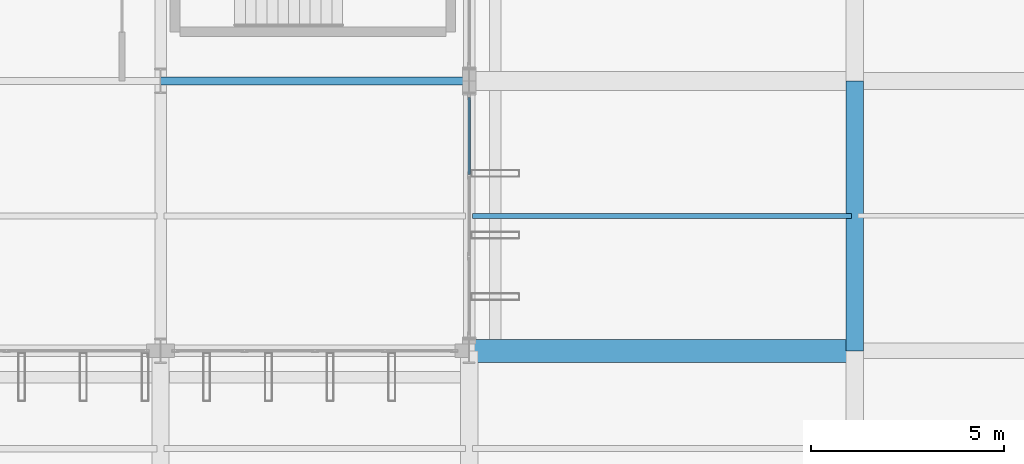
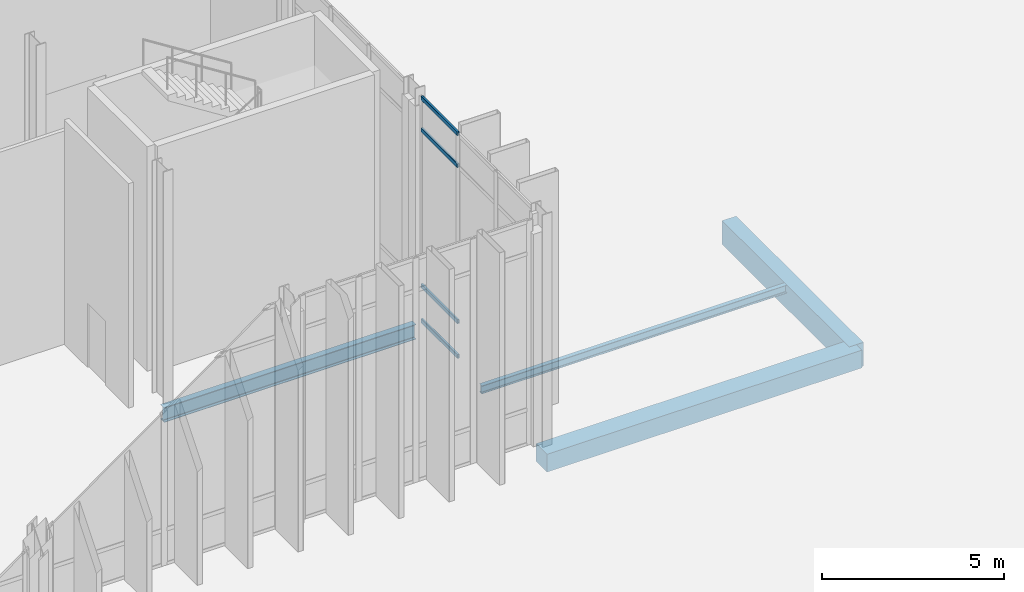
# One storey, part 88 of 176: 4 beams, 4 members, 1 element without a shape of its own.
"""IFC4 building model written with IfcOpenShell, lengths in metres."""

from ifc_helpers import new_model, si_unit, direction, frame, origin, origin_2d, place, context, subcontext, project, spatial, rectangle, hollow_rectangle, i_section, extrude, material, layer, layer_set, material_profile, profile_set, type_object, element, aggregate, save


model = new_model("IFC4")

# Units and contexts
model_context = context("Model", 3, precision=1e-05, world=origin(), true_north=direction((0.0, 1.0)))
body_context = subcontext(model_context, "Body", "Model", "MODEL_VIEW")
ifc_project = project(units=[si_unit("LENGTHUNIT", "METRE"), si_unit("AREAUNIT", "SQUARE_METRE"), si_unit("VOLUMEUNIT", "CUBIC_METRE"), si_unit("PLANEANGLEUNIT", "RADIAN"), si_unit("MASSUNIT", "GRAM", prefix="KILO")], contexts=[model_context])

# Site, building, storey
site_placement = place(None, origin())
site = spatial("IfcSite", under=ifc_project, at=site_placement, CompositionType="ELEMENT")
building_placement = place(site_placement, origin())
building = spatial("IfcBuilding", under=site, at=building_placement, Name="Vekula Escarpment Museum", CompositionType="ELEMENT")
storey_placement = place(building_placement, origin())
storey = spatial("IfcBuildingStorey", under=building, at=storey_placement, Name="L01", CompositionType="ELEMENT", Elevation=0.0)

# Beams
ifc_material_1 = material(Name="Steel S355", Category="steel")
ifc_material_profile_1 = material_profile(ifc_material_1, i_section(OverallWidth=0.199951171875, OverallDepth=0.5, WebThickness=0.01025390625, FlangeThickness=0.01611328125, FilletRadius=0.02099609375, at=origin_2d()), Name="IPE 500")
ifc_profile_set_1 = profile_set([ifc_material_profile_1], Name="Steel S355")
beam_type_1 = type_object("IfcBeamType", Name="BM-GIRD-IPE500", PredefinedType="BEAM", material=ifc_profile_set_1)
beam_1_placement = place(storey_placement, frame((118.0, 52.60009765625, -0.550048828125), z_axis=(1.0, 0.0, 0.0), x_axis=(0.0, 1.0, 0.0)))
element("IfcBeam", 1, at=beam_1_placement, inside=storey, type_object=beam_type_1, Name="Beam X L01 0152", PredefinedType="BEAM", context=body_context, shape_type="SweptSolid", body=[
    extrude(i_section(OverallWidth=0.199951171875, OverallDepth=0.5, WebThickness=0.01025390625, FlangeThickness=0.01611328125, FilletRadius=0.02099609375, at=origin_2d()), origin(), (0.0, 0.0, 1.0), 8.0),
])
ifc_material_2 = material(Name="Steel S355", Category="steel")
ifc_material_profile_2 = material_profile(ifc_material_2, i_section(OverallWidth=0.135009765625, OverallDepth=0.27001953125, WebThickness=0.006591796875, FlangeThickness=0.01025390625, FilletRadius=0.014892578125, at=origin_2d()), Name="IPE 270")
ifc_profile_set_2 = profile_set([ifc_material_profile_2], Name="Steel S355")
beam_type_2 = type_object("IfcBeamType", Name="BM-JST-IPE270", PredefinedType="JOIST", material=ifc_profile_set_2)
beam_2_placement = place(storey_placement, frame((126.090087890625, 49.10009765625, -0.43505859375), z_axis=(1.0, 0.0, 0.0), x_axis=(0.0, 1.0, 0.0)))
element("IfcBeam", 2, at=beam_2_placement, inside=storey, type_object=beam_type_2, Name="Secondary Joist L01 0425", PredefinedType="JOIST", context=body_context, shape_type="SweptSolid", body=[
    extrude(i_section(OverallWidth=0.135009765625, OverallDepth=0.27001953125, WebThickness=0.006591796875, FlangeThickness=0.01025390625, FilletRadius=0.014892578125, at=origin_2d()), origin(), (0.0, 0.0, 1.0), 9.81982421875),
])
ifc_material_3 = material(Name="Concrete C35/45", Category="concrete")
ifc_material_profile_3 = material_profile(ifc_material_3, rectangle(XDim=0.449951171875, YDim=0.800048828125, at=origin_2d()), Name="RC 450x800")
ifc_profile_set_3 = profile_set([ifc_material_profile_3], Name="Concrete C35/45")
beam_type_3 = type_object("IfcBeamType", Name="BM-PLINTH-RC", PredefinedType="BEAM", material=ifc_profile_set_3)
beam_3_placement = place(storey_placement, frame((136.0, 45.60009765625, -0.699951171875), z_axis=(0.0, 1.0, 0.0), x_axis=(-1.0, 0.0, 0.0)))
element("IfcBeam", 3, at=beam_3_placement, inside=storey, type_object=beam_type_3, Name="Beam Y L01 0674", PredefinedType="BEAM", context=body_context, shape_type="SweptSolid", body=[
    extrude(rectangle(XDim=0.449951171875, YDim=0.800048828125, at=origin_2d()), origin(), (0.0, 0.0, 1.0), 7.0),
])
ifc_material_4 = material(Name="Concrete C35/45", Category="concrete")
ifc_material_profile_4 = material_profile(ifc_material_4, rectangle(XDim=0.60009765625, YDim=0.60009765625, at=origin_2d()), Name="RC 600x600")
ifc_profile_set_4 = profile_set([ifc_material_profile_4], Name="Concrete C35/45")
beam_type_4 = type_object("IfcBeamType", Name="BM-PLINTH-RC4", PredefinedType="BEAM", material=ifc_profile_set_4)
beam_4_placement = place(storey_placement, frame((126.0, 45.60009765625, -0.60009765625), z_axis=(1.0, 0.0, 0.0), x_axis=(0.0, 1.0, 0.0)))
element("IfcBeam", 4, at=beam_4_placement, inside=storey, type_object=beam_type_4, Name="Beam X L01 0132", PredefinedType="BEAM", context=body_context, shape_type="SweptSolid", body=[
    extrude(rectangle(XDim=0.60009765625, YDim=0.60009765625, at=origin_2d()), origin(), (0.0, 0.0, 1.0), 10.0),
])

# Curtain wall, members
ifc_material_5 = material(Name="Aluminium thermally broken framing", Category="aluminium")
ifc_layer = layer(ifc_material_5, 0.169921875)
ifc_layer_set = layer_set([ifc_layer], Name="Aluminium thermally broken framing")
curtain_wall_type = type_object("IfcCurtainWallType", Name="CW-SYS-10", PredefinedType="NOTDEFINED", material=ifc_layer_set)
curtain_wall_placement = place(storey_placement, origin())
curtain_wall = element("IfcCurtainWall", 5, at=curtain_wall_placement, inside=storey, type_object=curtain_wall_type, Name="Curtain Wall CW-L01-010", PredefinedType="NOTDEFINED")
ifc_material_6 = material(Name="Aluminium anodized transom", Category="aluminium")
ifc_material_profile_5 = material_profile(ifc_material_6, hollow_rectangle(XDim=0.06494140625, YDim=0.139892578125, WallThickness=0.00390625, InnerFilletRadius=0.00390625, OuterFilletRadius=0.008056640625, at=origin_2d()), Name="ALU 140x65x4")
ifc_profile_set_5 = profile_set([ifc_material_profile_5], Name="Aluminium anodized transom")
member_type = type_object("IfcMemberType", Name="CW-TRN-140", PredefinedType="USERDEFINED", material=ifc_profile_set_5)
member_1_placement = place(storey_placement, frame((126.0, 50.17919921875, 0.032470703125), z_axis=(0.0, 1.0, 0.0), x_axis=(-1.0, 0.0, 0.0)))
member_1 = element("IfcMember", 6, at=member_1_placement, type_object=member_type, Name="CW-10 transom 3.1", ObjectType="TRANSOM", PredefinedType="USERDEFINED", context=body_context, shape_type="SweptSolid", body=[
    extrude(hollow_rectangle(XDim=0.06494140625, YDim=0.139892578125, WallThickness=0.00390625, InnerFilletRadius=0.00390625, OuterFilletRadius=0.008056640625, at=origin_2d()), origin(), (0.0, 0.0, 1.0), 1.995849609375),
])
member_2_placement = place(storey_placement, frame((126.0, 50.17919921875, 1.199951171875), z_axis=(0.0, 1.0, 0.0), x_axis=(-1.0, 0.0, 0.0)))
member_2 = element("IfcMember", 7, at=member_2_placement, type_object=member_type, Name="CW-10 transom 3.2", ObjectType="TRANSOM", PredefinedType="USERDEFINED", context=body_context, shape_type="SweptSolid", body=[
    extrude(hollow_rectangle(XDim=0.06494140625, YDim=0.139892578125, WallThickness=0.00390625, InnerFilletRadius=0.00390625, OuterFilletRadius=0.008056640625, at=origin_2d()), origin(), (0.0, 0.0, 1.0), 1.995849609375),
])
member_3_placement = place(storey_placement, frame((126.0, 50.17919921875, 6.43994140625), z_axis=(0.0, 1.0, 0.0), x_axis=(-1.0, 0.0, 0.0)))
member_3 = element("IfcMember", 8, at=member_3_placement, type_object=member_type, Name="CW-10 transom 3.3", ObjectType="TRANSOM", PredefinedType="USERDEFINED", context=body_context, shape_type="SweptSolid", body=[
    extrude(hollow_rectangle(XDim=0.06494140625, YDim=0.139892578125, WallThickness=0.00390625, InnerFilletRadius=0.00390625, OuterFilletRadius=0.008056640625, at=origin_2d()), origin(), (0.0, 0.0, 1.0), 1.995849609375),
])
member_4_placement = place(storey_placement, frame((126.0, 50.17919921875, 7.507568359375), z_axis=(0.0, 1.0, 0.0), x_axis=(-1.0, 0.0, 0.0)))
member_4 = element("IfcMember", 9, at=member_4_placement, type_object=member_type, Name="CW-10 transom 3.4", ObjectType="TRANSOM", PredefinedType="USERDEFINED", context=body_context, shape_type="SweptSolid", body=[
    extrude(hollow_rectangle(XDim=0.06494140625, YDim=0.139892578125, WallThickness=0.00390625, InnerFilletRadius=0.00390625, OuterFilletRadius=0.008056640625, at=origin_2d()), origin(), (0.0, 0.0, 1.0), 1.995849609375),
])
aggregate(curtain_wall, [member_1, member_2, member_3, member_4])

save(model, "model.ifc")
